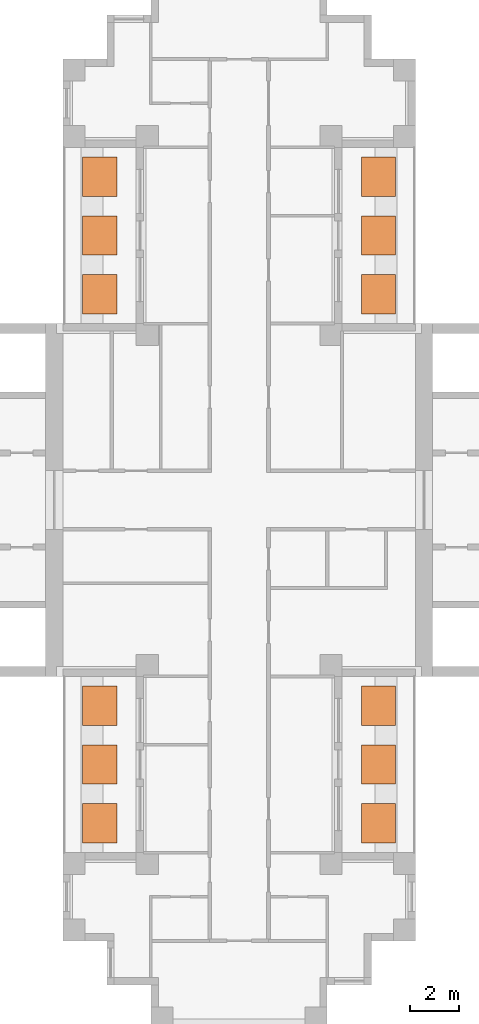
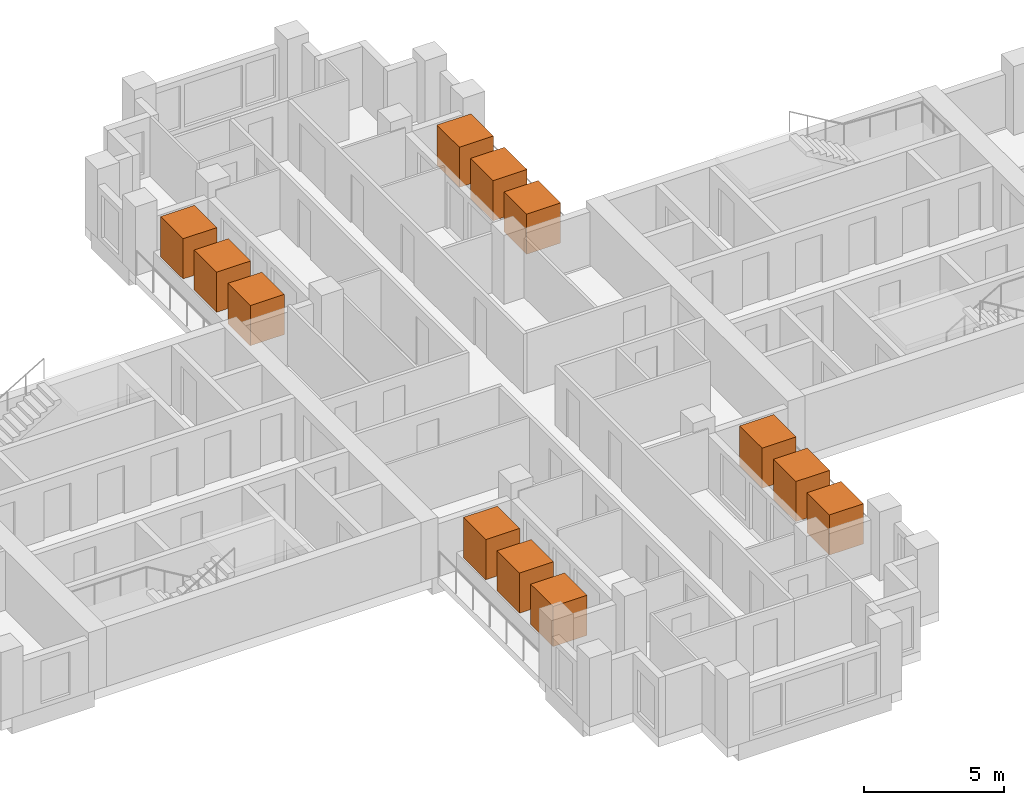
# One storey, part 10 of 10: 12 geographic elements.
"""IFC4 building model written with IfcOpenShell, lengths in metres."""

from ifc_helpers import new_model, si_unit, direction, frame, origin, origin_2d, place, context, subcontext, project, spatial, rectangle, extrude, material, element, save


model = new_model("IFC4")

# Units and contexts
model_context = context("Model", 3, precision=1e-05, world=origin(), true_north=direction((0.0, 1.0)))
body_context = subcontext(model_context, "Body", "Model", "MODEL_VIEW")
ifc_project = project(units=[si_unit("LENGTHUNIT", "METRE"), si_unit("AREAUNIT", "SQUARE_METRE"), si_unit("VOLUMEUNIT", "CUBIC_METRE"), si_unit("PLANEANGLEUNIT", "RADIAN"), si_unit("MASSUNIT", "GRAM", prefix="KILO")], contexts=[model_context])

# Site, building, storey
site_placement = place(None, origin())
site = spatial("IfcSite", under=ifc_project, at=site_placement, CompositionType="ELEMENT")
building_placement = place(site_placement, origin())
building = spatial("IfcBuilding", under=site, at=building_placement, Name="Fustian Cross Tower", CompositionType="ELEMENT")
storey_placement = place(building_placement, frame((0.0, 0.0, 204.89990234375)))
storey = spatial("IfcBuildingStorey", under=building, at=storey_placement, Name="L64", CompositionType="ELEMENT", Elevation=204.89990234375)

# Geographic elements
ifc_material = material(Name="Evergreen foliage")
for number, where, z_axis, x_axis, name in (
    (1, (5.68994140625, 8.39990234375, 0.800048828125), (0.0, 0.0, 1.0), (1.0, 0.0, 0.0), "TREE field maple"),
    (2, (5.68994140625, 10.800048828125, 0.800048828125), (0.0, 0.0, 1.0), (1.0, 0.0, 0.0), "TREE field maple"),
    (3, (5.68994140625, 13.199951171875, 0.800048828125), (0.0, 0.0, 1.0), (1.0, 0.0, 0.0), "TREE field maple"),
    (4, (-5.68994140625, 8.39990234375, 0.800048828125), (0.0, 0.0, 1.0), (1.0, 0.0, 0.0), "TREE field maple"),
    (5, (-5.68994140625, 10.800048828125, 0.800048828125), (0.0, 0.0, 1.0), (1.0, 0.0, 0.0), "TREE field maple"),
    (6, (-5.68994140625, 13.199951171875, 0.800048828125), (0.0, 0.0, 1.0), (1.0, 0.0, 0.0), "TREE field maple"),
    (7, (5.68994140625, -13.199951171875, 0.800048828125), (0.0, 0.0, 1.0), (1.0, 0.0, 0.0), "TREE field maple"),
    (8, (5.68994140625, -10.800048828125, 0.800048828125), (0.0, 0.0, 1.0), (1.0, 0.0, 0.0), "TREE field maple"),
    (9, (5.68994140625, -8.39990234375, 0.800048828125), (0.0, 0.0, 1.0), (1.0, 0.0, 0.0), "TREE field maple"),
    (10, (-5.68994140625, -13.199951171875, 0.800048828125), (0.0, 0.0, 1.0), (1.0, 0.0, 0.0), "TREE field maple"),
    (11, (-5.68994140625, -10.800048828125, 0.800048828125), (0.0, 0.0, 1.0), (1.0, 0.0, 0.0), "TREE field maple"),
    (12, (-5.68994140625, -8.39990234375, 0.800048828125), (0.0, 0.0, 1.0), (1.0, 0.0, 0.0), "TREE field maple"),
):
    element("IfcGeographicElement", number, at=place(storey_placement, frame(where, z_axis=z_axis, x_axis=x_axis)), inside=storey, material=ifc_material, Name=name, ObjectType="VEGETATION", PredefinedType="USERDEFINED", context=body_context, shape_type="SweptSolid", body=[
        extrude(rectangle(XDim=1.39990234375, YDim=1.60009765625, at=origin_2d()), origin(), (0.0, 0.0, 1.0), 1.75),
    ])

save(model, "model.ifc")
